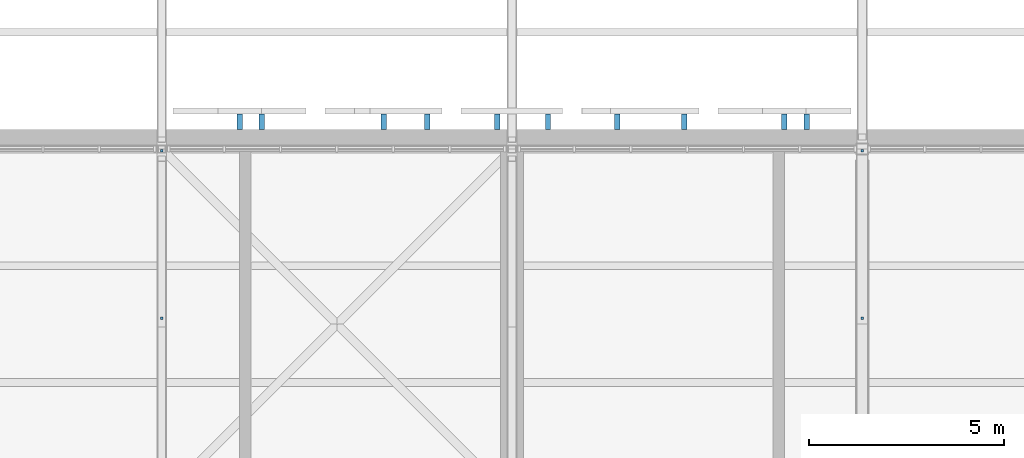
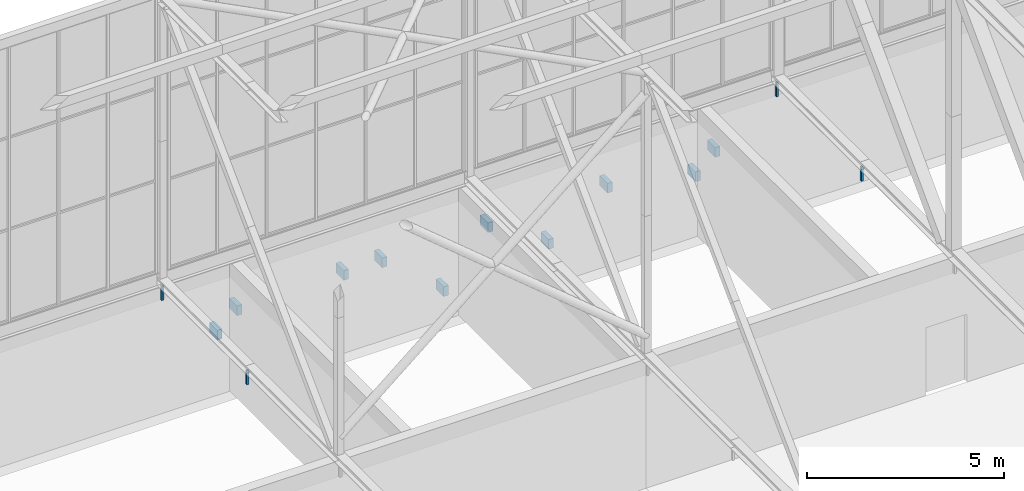
# One storey, part 230 of 646: 14 discrete accessories.
"""IFC4 building model written with IfcOpenShell, lengths in metres."""

from ifc_helpers import new_model, si_unit, direction, frame, origin, origin_2d, place, context, subcontext, project, spatial, rectangle, extrude, material, type_object, element, save


model = new_model("IFC4")

# Units and contexts
model_context = context("Model", 3, precision=1e-05, world=origin(), true_north=direction((0.0, 1.0)))
body_context = subcontext(model_context, "Body", "Model", "MODEL_VIEW")
ifc_project = project(units=[si_unit("LENGTHUNIT", "METRE"), si_unit("AREAUNIT", "SQUARE_METRE"), si_unit("VOLUMEUNIT", "CUBIC_METRE"), si_unit("PLANEANGLEUNIT", "RADIAN"), si_unit("MASSUNIT", "GRAM", prefix="KILO")], contexts=[model_context])

# Site, building, storey
site_placement = place(None, origin())
site = spatial("IfcSite", under=ifc_project, at=site_placement, CompositionType="ELEMENT")
building_placement = place(site_placement, origin())
building = spatial("IfcBuilding", under=site, at=building_placement, Name="Silverbay Arena", CompositionType="ELEMENT")
storey_placement = place(building_placement, frame((0.0, 0.0, 33.5)))
storey = spatial("IfcBuildingStorey", under=building, at=storey_placement, Name="L05", CompositionType="ELEMENT", Elevation=33.5)

# Discrete accessories
ifc_material_1 = material(Name="Steel S355", Category="steel")
discrete_accessory_type_1 = type_object("IfcDiscreteAccessoryType", Name="Ceiling hanger", PredefinedType="BRACKET", material=ifc_material_1)
for number, where, z_axis, x_axis, name in (
    (1, (90.0, 139.64990234375, 3.5498046875), (0.0, 0.0, 1.0), (1.0, 0.0, 0.0), "Ceiling hanger"),
    (2, (90.0, 143.9599609375, 3.5498046875), (0.0, 0.0, 1.0), (1.0, 0.0, 0.0), "Ceiling hanger"),
    (3, (108.0, 139.64990234375, 3.5498046875), (0.0, 0.0, 1.0), (1.0, 0.0, 0.0), "Ceiling hanger"),
    (4, (108.0, 143.9599609375, 3.5498046875), (0.0, 0.0, 1.0), (1.0, 0.0, 0.0), "Ceiling hanger"),
):
    element("IfcDiscreteAccessory", number, at=place(storey_placement, frame(where, z_axis=z_axis, x_axis=x_axis)), inside=storey, type_object=discrete_accessory_type_1, Name=name, PredefinedType="BRACKET", context=body_context, shape_type="SweptSolid", body=[
        extrude(rectangle(XDim=0.06005859375, YDim=0.06005859375, at=origin_2d()), origin(), (0.0, 0.0, 1.0), 0.449951171875),
    ])
ifc_material_2 = material(Name="Steel S355", Category="steel")
discrete_accessory_type_2 = type_object("IfcDiscreteAccessoryType", Name="Steel bracket plate", PredefinedType="BRACKET", material=ifc_material_2)
for number, where, z_axis, x_axis, name in (
    (5, (106.574951171875, 144.699951171875, 1.85009765625), (0.0, 0.0, 1.0), (1.0, 0.0, 0.0), "Name band bracket plate"),
    (6, (106.0, 144.699951171875, 1.2998046875), (0.0, 0.0, 1.0), (1.0, 0.0, 0.0), "Name band bracket plate"),
    (7, (103.425048828125, 144.699951171875, 1.85009765625), (0.0, 0.0, 1.0), (1.0, 0.0, 0.0), "Name band bracket plate"),
    (8, (101.699951171875, 144.699951171875, 0.71240234375), (0.0, 0.0, 1.0), (1.0, 0.0, 0.0), "Name band bracket plate"),
    (9, (99.925048828125, 144.699951171875, 1.85009765625), (0.0, 0.0, 1.0), (1.0, 0.0, 0.0), "Name band bracket plate"),
    (10, (98.625, 144.699951171875, 0.3251953125), (0.0, 0.0, 1.0), (1.0, 0.0, 0.0), "Name band bracket plate"),
    (11, (96.824951171875, 144.699951171875, 1.85009765625), (0.0, 0.0, 1.0), (1.0, 0.0, 0.0), "Name band bracket plate"),
    (12, (95.699951171875, 144.699951171875, 1.85009765625), (0.0, 0.0, 1.0), (1.0, 0.0, 0.0), "Name band bracket plate"),
    (13, (92.574951171875, 144.699951171875, 1.85009765625), (0.0, 0.0, 1.0), (1.0, 0.0, 0.0), "Name band bracket plate"),
    (14, (92.0, 144.699951171875, 1.2998046875), (0.0, 0.0, 1.0), (1.0, 0.0, 0.0), "Name band bracket plate"),
):
    element("IfcDiscreteAccessory", number, at=place(storey_placement, frame(where, z_axis=z_axis, x_axis=x_axis)), inside=storey, type_object=discrete_accessory_type_2, Name=name, PredefinedType="BRACKET", context=body_context, shape_type="SweptSolid", body=[
        extrude(rectangle(XDim=0.139892578125, YDim=0.39990234375, at=origin_2d()), origin(), (0.0, 0.0, 1.0), 0.300048828125),
    ])

save(model, "model.ifc")
